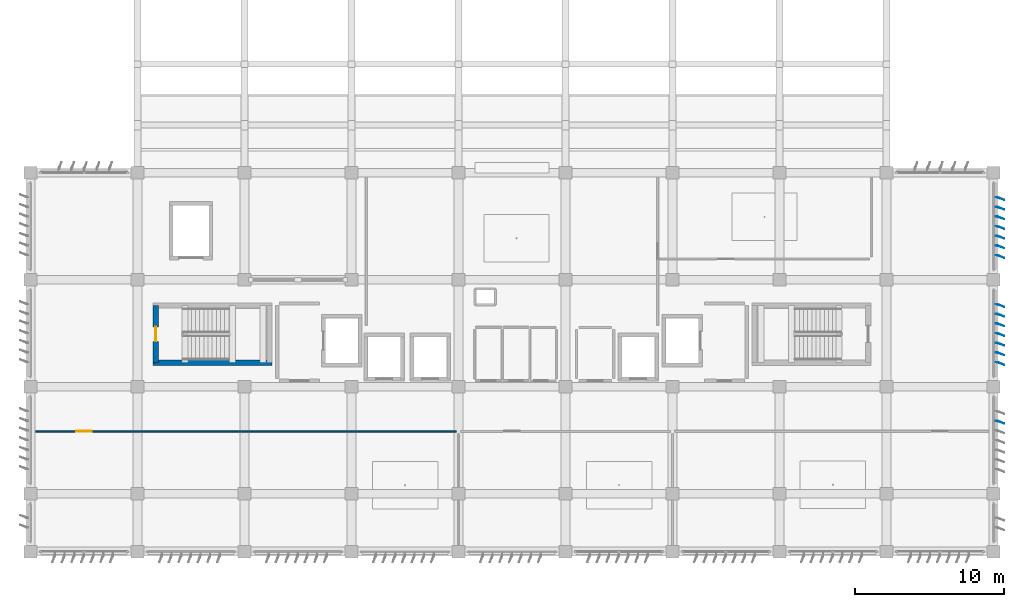
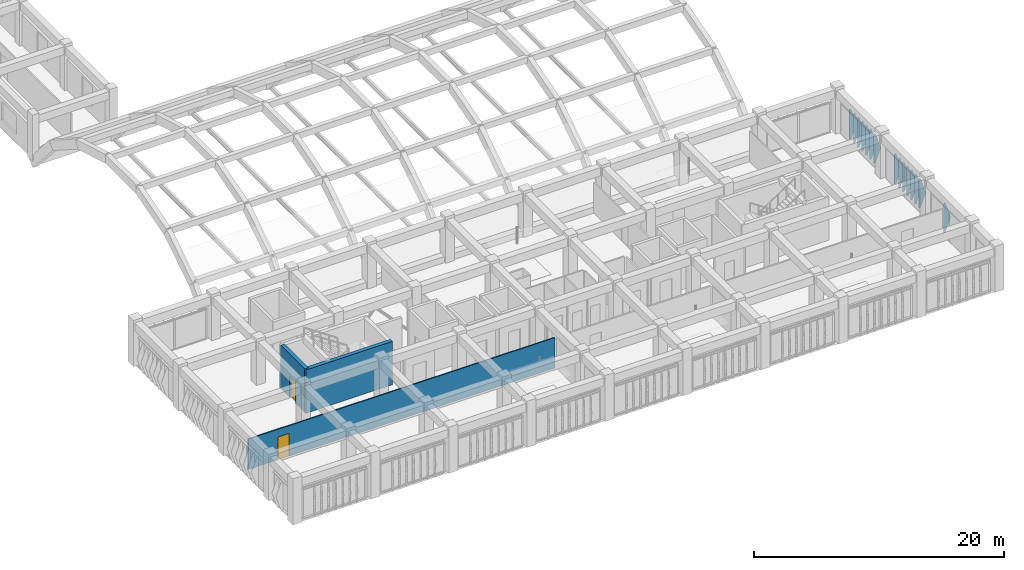
# One storey, part 27 of 48: 15 plates, 3 walls, 2 doors, 2 openings.
"""IFC4 building model written with IfcOpenShell, lengths in metres."""

import ifcopenshell
import ifcopenshell.guid

model = None  # the IFC model being written
_history = None  # IfcOwnerHistory: only IFC2X3 demands one
_inside = {}  # id of a spatial element -> (the spatial element, [elements in it])
_under = {}  # id of a project, library or spatial element -> (it, [spatial elements below it])
_declared = {}  # id of a project -> (the project, [libraries it declares])
_typed = {}  # id of a type object -> (the type object, [elements of that type])
_made_of = {}  # id of a material, layer set ... -> (it, [elements and type objects made of it])


def new_model(schema):
    """Start an empty IFC model of exactly this schema.

    Asked for "IFC4X3", IfcOpenShell would pick the latest addendum, in which some entities
    have other attributes; the version numbers below select the first issue.
    IFC2X3 requires an IfcOwnerHistory on every rooted entity: one is made here for all.
    """
    global model, _history
    if schema == "IFC4X3":
        model = ifcopenshell.file(schema_version=(4, 3, 0, 0))
    else:
        model = ifcopenshell.file(schema=schema)
    _inside.clear()
    _under.clear()
    _declared.clear()
    _typed.clear()
    _made_of.clear()
    _history = None
    if model.schema == "IFC2X3":
        org = make("IfcOrganization", Name="unknown")
        user = make(
            "IfcPersonAndOrganization",
            ThePerson=make("IfcPerson", FamilyName="unknown"),
            TheOrganization=org,
        )
        app = make(
            "IfcApplication",
            ApplicationDeveloper=org,
            Version="unknown",
            ApplicationFullName="unknown",
            ApplicationIdentifier="unknown",
        )
        _history = make(
            "IfcOwnerHistory",
            OwningUser=user,
            OwningApplication=app,
            ChangeAction="ADDED",
            CreationDate=0,
        )
    return model


def make(cls, **values):
    """One entity of the class cls with the attributes given. An attribute that is None is left unset."""
    return model.create_entity(
        cls, **{name: value for name, value in values.items() if value is not None}
    )


def rooted(cls, **values):
    """An entity with a GlobalId (a new one), such as an element, a storey or a relation."""
    return make(cls, GlobalId=ifcopenshell.guid.new(), OwnerHistory=_history, **values)


def si_unit(unit_type, name, prefix=None):
    """IfcSIUnit, for example si_unit("LENGTHUNIT", "METRE", prefix="MILLI")."""
    return make("IfcSIUnit", UnitType=unit_type, Prefix=prefix, Name=name)


def assignment(units):
    """IfcUnitAssignment: the units of a project."""
    return None if units is None else make("IfcUnitAssignment", Units=units)


def point(xyz):
    """IfcCartesianPoint."""
    return None if xyz is None else make("IfcCartesianPoint", Coordinates=xyz)


def direction(xyz):
    """IfcDirection."""
    return None if xyz is None else make("IfcDirection", DirectionRatios=xyz)


def frame(location, z_axis=None, x_axis=None):
    """IfcAxis2Placement3D, a coordinate frame: its origin and axes. An axis left out is left unset."""
    return make(
        "IfcAxis2Placement3D",
        Location=point(location),
        Axis=direction(z_axis),
        RefDirection=direction(x_axis),
    )


def frame_2d(location, x_axis=None):
    """IfcAxis2Placement2D, a coordinate frame in the plane: its origin and x axis."""
    return make(
        "IfcAxis2Placement2D", Location=point(location), RefDirection=direction(x_axis)
    )


def origin():
    """The frame at (0, 0, 0) with its axes left unset."""
    return frame((0.0, 0.0, 0.0))


def place(relative_to, where):
    """IfcLocalPlacement: puts the frame where relative to a parent placement (None: the world)."""
    return make(
        "IfcLocalPlacement", PlacementRelTo=relative_to, RelativePlacement=where
    )


def context(
    kind, dimensions, precision=None, world=None, true_north=None, identifier=None
):
    """IfcGeometricRepresentationContext, for example the 3D "Model" context."""
    return make(
        "IfcGeometricRepresentationContext",
        ContextIdentifier=identifier,
        ContextType=kind,
        CoordinateSpaceDimension=dimensions,
        Precision=precision,
        WorldCoordinateSystem=world,
        TrueNorth=true_north,
    )


def subcontext(parent, identifier, kind, view, scale=None):
    """IfcGeometricRepresentationSubContext, for example "Body" below "Model"."""
    return make(
        "IfcGeometricRepresentationSubContext",
        ContextIdentifier=identifier,
        ContextType=kind,
        ParentContext=parent,
        TargetScale=scale,
        TargetView=view,
    )


def project(units=None, contexts=None):
    """IfcProject with its units and contexts."""
    return rooted(
        "IfcProject",
        Name="project",
        RepresentationContexts=contexts,
        UnitsInContext=assignment(units),
    )


def spatial(cls, under=None, at=None, **own):
    """A site, building, storey or space (cls), placed at a placement, below another one or the project."""
    s = rooted(cls, ObjectPlacement=at, **own)
    if under is not None:
        _under.setdefault(under.id(), (under, []))[1].append(s)
    return s


def point_list(points):
    """IfcCartesianPointList2D or 3D."""
    cls = (
        "IfcCartesianPointList2D" if len(points[0]) == 2 else "IfcCartesianPointList3D"
    )
    return make(cls, CoordList=points)


def profile(cls, at=None, kind="AREA", **sizes):
    """A parametric profile (cls). Its sizes go by their IFC names, for example OverallWidth=200.0."""
    return make(cls, ProfileType=kind, Position=at, **sizes)


def rectangle(**sizes):
    """IfcRectangleProfileDef."""
    return profile("IfcRectangleProfileDef", **sizes)


def extrude(swept, where, along, depth):
    """IfcExtrudedAreaSolid: the profile swept, set in the frame where, extruded along a direction by depth."""
    return make(
        "IfcExtrudedAreaSolid",
        SweptArea=swept,
        Position=where,
        ExtrudedDirection=direction(along),
        Depth=depth,
    )


def polygons(points, faces, closed=None, point_numbers=None):
    """IfcPolygonalFaceSet: a face is its outer loop, then its inner loops; points numbered from 1."""
    made = []
    for loops in faces:
        if len(loops) == 1:
            made.append(make("IfcIndexedPolygonalFace", CoordIndex=loops[0]))
        else:
            made.append(
                make(
                    "IfcIndexedPolygonalFaceWithVoids",
                    CoordIndex=loops[0],
                    InnerCoordIndices=loops[1:],
                )
            )
    return make(
        "IfcPolygonalFaceSet",
        Coordinates=point_list(points),
        Closed=closed,
        Faces=made,
        PnIndex=point_numbers,
    )


def shape(context_of_items, identifier, shape_type, items):
    """IfcShapeRepresentation: the items that make up one representation, for example the "Body"."""
    return make(
        "IfcShapeRepresentation",
        ContextOfItems=context_of_items,
        RepresentationIdentifier=identifier,
        RepresentationType=shape_type,
        Items=items,
    )


def material(Name=None, Category=None):
    """IfcMaterial."""
    return make("IfcMaterial", Name=Name, Category=Category)


def layer(
    of_material, thickness, ventilated=None, Name=None, Category=None, Priority=None
):
    """IfcMaterialLayer: one layer of a wall or slab, of a material (None: an air gap)."""
    return make(
        "IfcMaterialLayer",
        Material=of_material,
        LayerThickness=thickness,
        IsVentilated=ventilated,
        Name=Name,
        Category=Category,
        Priority=Priority,
    )


def layer_set(layers, Name=None):
    """IfcMaterialLayerSet."""
    return make("IfcMaterialLayerSet", MaterialLayers=layers, LayerSetName=Name)


def made_of(thing, what):
    """Note that an element or type object is made of a material, layer set ...; save() writes the relation."""
    if what is not None:
        _made_of.setdefault(what.id(), (what, []))[1].append(thing)
    return thing


def type_object(cls, material=None, **own):
    """A type object (cls), such as IfcWallType, which elements share."""
    return made_of(rooted(cls, **own), material)


def element(
    cls,
    number,
    at=None,
    inside=None,
    cuts=None,
    type_object=None,
    material=None,
    context=None,
    identifier="Body",
    shape_type=None,
    held_by="IfcProductDefinitionShape",
    body=None,
    shapes=None,
    **own,
):
    """One element of the class cls, such as IfcWall. Its Tag is "e" and its number.

    at: its placement. inside: the storey or other place that contains it. cuts: it is an
    opening in that element (IfcRelVoidsElement). A single representation is given by context,
    identifier, shape_type and body (its items); several are given by shapes. held_by: the class
    of the entity that holds the representations. save() writes the other relations.
    """
    e = rooted(cls, Tag="e%d" % number, ObjectPlacement=at, **own)
    if body is not None:
        shapes = [shape(context, identifier, shape_type, body)]
    if shapes is not None:
        e.Representation = make(held_by, Representations=shapes)
    if inside is not None:
        _inside.setdefault(inside.id(), (inside, []))[1].append(e)
    if cuts is not None:
        rooted(
            "IfcRelVoidsElement", RelatingBuildingElement=cuts, RelatedOpeningElement=e
        )
    if type_object is not None:
        _typed.setdefault(type_object.id(), (type_object, []))[1].append(e)
    return made_of(e, material)


def fill(opening, filler):
    """IfcRelFillsElement: the door or window that sits in an opening."""
    return rooted(
        "IfcRelFillsElement",
        RelatingOpeningElement=opening,
        RelatedBuildingElement=filler,
    )


def aggregate(whole, parts):
    """IfcRelAggregates: a whole, such as a stair, and the parts it consists of."""
    return rooted("IfcRelAggregates", RelatingObject=whole, RelatedObjects=parts)


def save(model, path):
    """Write the relations noted so far, then the file.

    IfcRelAggregates (storeys below a building ...), IfcRelContainedInSpatialStructure (elements
    in a storey), IfcRelDefinesByType, IfcRelAssociatesMaterial and IfcRelDeclares: one each for
    every whole, place, type object, material and project.
    """
    for whole, parts in _under.values():
        aggregate(whole, parts)
    for where, things in _inside.values():
        rooted(
            "IfcRelContainedInSpatialStructure",
            RelatedElements=things,
            RelatingStructure=where,
        )
    for kind, things in _typed.values():
        rooted("IfcRelDefinesByType", RelatedObjects=things, RelatingType=kind)
    for what, things in _made_of.values():
        rooted("IfcRelAssociatesMaterial", RelatedObjects=things, RelatingMaterial=what)
    for by, libraries in _declared.values():
        rooted("IfcRelDeclares", RelatingContext=by, RelatedDefinitions=libraries)
    model.write(path)


model = new_model("IFC4")

# Units and contexts
model_context = context("Model", 3, precision=1e-05, world=origin(), true_north=direction((0.0, 1.0)))
body_context = subcontext(model_context, "Body", "Model", "MODEL_VIEW")
ifc_project = project(units=[si_unit("LENGTHUNIT", "METRE"), si_unit("AREAUNIT", "SQUARE_METRE"), si_unit("VOLUMEUNIT", "CUBIC_METRE"), si_unit("PLANEANGLEUNIT", "RADIAN"), si_unit("MASSUNIT", "GRAM", prefix="KILO")], contexts=[model_context])

# Site, building, storey
site_placement = place(None, origin())
site = spatial("IfcSite", under=ifc_project, at=site_placement, CompositionType="ELEMENT")
building_placement = place(site_placement, origin())
building = spatial("IfcBuilding", under=site, at=building_placement, Name="Kazehaya Institute of Natural Sciences", CompositionType="ELEMENT")
storey_placement = place(building_placement, frame((0.0, 0.0, 19.800048828125)))
storey = spatial("IfcBuildingStorey", under=building, at=storey_placement, Name="L04", CompositionType="ELEMENT", Elevation=19.800048828125)

# Plates
ifc_material_1 = material(Name="Bronze-anodised aluminium alloy A6063S-T5", Category="aluminium")
ifc_layer_1 = layer(ifc_material_1, 0.02001953125, Name="Bronze-anodised aluminium alloy A6063S-T5", Category="aluminium")
ifc_layer_set_1 = layer_set([ifc_layer_1], Name="Bronze-anodised aluminium alloy A6063S-T5")
plate_type = type_object("IfcPlateType", Name="FIN-DF-E1", PredefinedType="USERDEFINED", material=ifc_layer_set_1)
plate_1_placement = place(storey_placement, origin())
element("IfcPlate", 1, at=plate_1_placement, inside=storey, type_object=plate_type, Name="L04 folded diamond-pyramid shading fin FIN-L04-E-0198", ObjectType="SHADING_FIN", PredefinedType="USERDEFINED", context=body_context, shape_type="Tessellation", body=[
    polygons([(119.554931640625, 18.909912109375, 0.0400390625), (119.699951171875, 18.909912109375, 0.0400390625), (120.110107421875, 18.731201171875, 1.5), (119.699951171875, 18.909912109375, 2.9599609375), (119.554931640625, 18.909912109375, 2.9599609375), (119.554931640625, 18.889892578125, 0.0400390625), (119.699951171875, 18.889892578125, 0.0400390625), (120.110107421875, 18.711181640625, 1.5), (119.699951171875, 18.889892578125, 2.9599609375), (119.554931640625, 18.889892578125, 2.9599609375)], [[[1, 5, 4, 3, 2]], [[6, 7, 8, 9, 10]], [[1, 2, 7, 6]], [[2, 3, 8, 7]], [[3, 4, 9, 8]], [[4, 5, 10, 9]], [[5, 1, 6, 10]]], closed=True),
])
plate_2_placement = place(storey_placement, origin())
element("IfcPlate", 2, at=plate_2_placement, inside=storey, type_object=plate_type, Name="L04 folded diamond-pyramid shading fin FIN-L04-E-0211", ObjectType="SHADING_FIN", PredefinedType="USERDEFINED", context=body_context, shape_type="Tessellation", body=[
    polygons([(119.554931640625, 26.760009765625, 0.0400390625), (119.699951171875, 26.760009765625, 0.0400390625), (120.110107421875, 26.581298828125, 1.5), (119.699951171875, 26.760009765625, 2.9599609375), (119.554931640625, 26.760009765625, 2.9599609375), (119.554931640625, 26.739990234375, 0.0400390625), (119.699951171875, 26.739990234375, 0.0400390625), (120.110107421875, 26.561279296875, 1.5), (119.699951171875, 26.739990234375, 2.9599609375), (119.554931640625, 26.739990234375, 2.9599609375)], [[[1, 5, 4, 3, 2]], [[6, 7, 8, 9, 10]], [[1, 2, 7, 6]], [[2, 3, 8, 7]], [[3, 4, 9, 8]], [[4, 5, 10, 9]], [[5, 1, 6, 10]]], closed=True),
])
plate_3_placement = place(storey_placement, origin())
element("IfcPlate", 3, at=plate_3_placement, inside=storey, type_object=plate_type, Name="L04 folded diamond-pyramid shading fin FIN-L04-E-0212", ObjectType="SHADING_FIN", PredefinedType="USERDEFINED", context=body_context, shape_type="Tessellation", body=[
    polygons([(119.554931640625, 26.110107421875, 0.0400390625), (119.699951171875, 26.110107421875, 0.0400390625), (120.110107421875, 25.931396484375, 1.5), (119.699951171875, 26.110107421875, 2.9599609375), (119.554931640625, 26.110107421875, 2.9599609375), (119.554931640625, 26.090087890625, 0.0400390625), (119.699951171875, 26.090087890625, 0.0400390625), (120.110107421875, 25.911376953125, 1.5), (119.699951171875, 26.090087890625, 2.9599609375), (119.554931640625, 26.090087890625, 2.9599609375)], [[[1, 5, 4, 3, 2]], [[6, 7, 8, 9, 10]], [[1, 2, 7, 6]], [[2, 3, 8, 7]], [[3, 4, 9, 8]], [[4, 5, 10, 9]], [[5, 1, 6, 10]]], closed=True),
])
plate_4_placement = place(storey_placement, origin())
element("IfcPlate", 4, at=plate_4_placement, inside=storey, type_object=plate_type, Name="L04 folded diamond-pyramid shading fin FIN-L04-E-0213", ObjectType="SHADING_FIN", PredefinedType="USERDEFINED", context=body_context, shape_type="Tessellation", body=[
    polygons([(119.554931640625, 25.4599609375, 0.0400390625), (119.699951171875, 25.4599609375, 0.0400390625), (120.110107421875, 25.28125, 1.5), (119.699951171875, 25.4599609375, 2.9599609375), (119.554931640625, 25.4599609375, 2.9599609375), (119.554931640625, 25.43994140625, 0.0400390625), (119.699951171875, 25.43994140625, 0.0400390625), (120.110107421875, 25.26123046875, 1.5), (119.699951171875, 25.43994140625, 2.9599609375), (119.554931640625, 25.43994140625, 2.9599609375)], [[[1, 5, 4, 3, 2]], [[6, 7, 8, 9, 10]], [[1, 2, 7, 6]], [[2, 3, 8, 7]], [[3, 4, 9, 8]], [[4, 5, 10, 9]], [[5, 1, 6, 10]]], closed=True),
])
plate_5_placement = place(storey_placement, origin())
element("IfcPlate", 5, at=plate_5_placement, inside=storey, type_object=plate_type, Name="L04 folded diamond-pyramid shading fin FIN-L04-E-0214", ObjectType="SHADING_FIN", PredefinedType="USERDEFINED", context=body_context, shape_type="Tessellation", body=[
    polygons([(119.554931640625, 24.81005859375, 0.0400390625), (119.699951171875, 24.81005859375, 0.0400390625), (120.110107421875, 24.63134765625, 1.5), (119.699951171875, 24.81005859375, 2.9599609375), (119.554931640625, 24.81005859375, 2.9599609375), (119.554931640625, 24.7900390625, 0.0400390625), (119.699951171875, 24.7900390625, 0.0400390625), (120.110107421875, 24.611328125, 1.5), (119.699951171875, 24.7900390625, 2.9599609375), (119.554931640625, 24.7900390625, 2.9599609375)], [[[1, 5, 4, 3, 2]], [[6, 7, 8, 9, 10]], [[1, 2, 7, 6]], [[2, 3, 8, 7]], [[3, 4, 9, 8]], [[4, 5, 10, 9]], [[5, 1, 6, 10]]], closed=True),
])
plate_6_placement = place(storey_placement, origin())
element("IfcPlate", 6, at=plate_6_placement, inside=storey, type_object=plate_type, Name="L04 folded diamond-pyramid shading fin FIN-L04-E-0215", ObjectType="SHADING_FIN", PredefinedType="USERDEFINED", context=body_context, shape_type="Tessellation", body=[
    polygons([(119.554931640625, 24.159912109375, 0.0400390625), (119.699951171875, 24.159912109375, 0.0400390625), (120.110107421875, 23.981201171875, 1.5), (119.699951171875, 24.159912109375, 2.9599609375), (119.554931640625, 24.159912109375, 2.9599609375), (119.554931640625, 24.139892578125, 0.0400390625), (119.699951171875, 24.139892578125, 0.0400390625), (120.110107421875, 23.961181640625, 1.5), (119.699951171875, 24.139892578125, 2.9599609375), (119.554931640625, 24.139892578125, 2.9599609375)], [[[1, 5, 4, 3, 2]], [[6, 7, 8, 9, 10]], [[1, 2, 7, 6]], [[2, 3, 8, 7]], [[3, 4, 9, 8]], [[4, 5, 10, 9]], [[5, 1, 6, 10]]], closed=True),
])
plate_7_placement = place(storey_placement, origin())
element("IfcPlate", 7, at=plate_7_placement, inside=storey, type_object=plate_type, Name="L04 folded diamond-pyramid shading fin FIN-L04-E-0216", ObjectType="SHADING_FIN", PredefinedType="USERDEFINED", context=body_context, shape_type="Tessellation", body=[
    polygons([(119.554931640625, 23.510009765625, 0.0400390625), (119.699951171875, 23.510009765625, 0.0400390625), (120.110107421875, 23.331298828125, 1.5), (119.699951171875, 23.510009765625, 2.9599609375), (119.554931640625, 23.510009765625, 2.9599609375), (119.554931640625, 23.489990234375, 0.0400390625), (119.699951171875, 23.489990234375, 0.0400390625), (120.110107421875, 23.311279296875, 1.5), (119.699951171875, 23.489990234375, 2.9599609375), (119.554931640625, 23.489990234375, 2.9599609375)], [[[1, 5, 4, 3, 2]], [[6, 7, 8, 9, 10]], [[1, 2, 7, 6]], [[2, 3, 8, 7]], [[3, 4, 9, 8]], [[4, 5, 10, 9]], [[5, 1, 6, 10]]], closed=True),
])
plate_8_placement = place(storey_placement, origin())
element("IfcPlate", 8, at=plate_8_placement, inside=storey, type_object=plate_type, Name="L04 folded diamond-pyramid shading fin FIN-L04-E-0217", ObjectType="SHADING_FIN", PredefinedType="USERDEFINED", context=body_context, shape_type="Tessellation", body=[
    polygons([(119.554931640625, 22.860107421875, 0.0400390625), (119.699951171875, 22.860107421875, 0.0400390625), (120.110107421875, 22.681396484375, 1.5), (119.699951171875, 22.860107421875, 2.9599609375), (119.554931640625, 22.860107421875, 2.9599609375), (119.554931640625, 22.840087890625, 0.0400390625), (119.699951171875, 22.840087890625, 0.0400390625), (120.110107421875, 22.661376953125, 1.5), (119.699951171875, 22.840087890625, 2.9599609375), (119.554931640625, 22.840087890625, 2.9599609375)], [[[1, 5, 4, 3, 2]], [[6, 7, 8, 9, 10]], [[1, 2, 7, 6]], [[2, 3, 8, 7]], [[3, 4, 9, 8]], [[4, 5, 10, 9]], [[5, 1, 6, 10]]], closed=True),
])
plate_9_placement = place(storey_placement, origin())
element("IfcPlate", 9, at=plate_9_placement, inside=storey, type_object=plate_type, Name="L04 folded diamond-pyramid shading fin FIN-L04-E-0225", ObjectType="SHADING_FIN", PredefinedType="USERDEFINED", context=body_context, shape_type="Tessellation", body=[
    polygons([(119.554931640625, 33.9599609375, 0.0400390625), (119.699951171875, 33.9599609375, 0.0400390625), (120.110107421875, 33.78125, 1.5), (119.699951171875, 33.9599609375, 2.9599609375), (119.554931640625, 33.9599609375, 2.9599609375), (119.554931640625, 33.93994140625, 0.0400390625), (119.699951171875, 33.93994140625, 0.0400390625), (120.110107421875, 33.76123046875, 1.5), (119.699951171875, 33.93994140625, 2.9599609375), (119.554931640625, 33.93994140625, 2.9599609375)], [[[1, 5, 4, 3, 2]], [[6, 7, 8, 9, 10]], [[1, 2, 7, 6]], [[2, 3, 8, 7]], [[3, 4, 9, 8]], [[4, 5, 10, 9]], [[5, 1, 6, 10]]], closed=True),
])
plate_10_placement = place(storey_placement, origin())
element("IfcPlate", 10, at=plate_10_placement, inside=storey, type_object=plate_type, Name="L04 folded diamond-pyramid shading fin FIN-L04-E-0226", ObjectType="SHADING_FIN", PredefinedType="USERDEFINED", context=body_context, shape_type="Tessellation", body=[
    polygons([(119.554931640625, 33.31005859375, 0.0400390625), (119.699951171875, 33.31005859375, 0.0400390625), (120.110107421875, 33.13134765625, 1.5), (119.699951171875, 33.31005859375, 2.9599609375), (119.554931640625, 33.31005859375, 2.9599609375), (119.554931640625, 33.2900390625, 0.0400390625), (119.699951171875, 33.2900390625, 0.0400390625), (120.110107421875, 33.111328125, 1.5), (119.699951171875, 33.2900390625, 2.9599609375), (119.554931640625, 33.2900390625, 2.9599609375)], [[[1, 5, 4, 3, 2]], [[6, 7, 8, 9, 10]], [[1, 2, 7, 6]], [[2, 3, 8, 7]], [[3, 4, 9, 8]], [[4, 5, 10, 9]], [[5, 1, 6, 10]]], closed=True),
])
plate_11_placement = place(storey_placement, origin())
element("IfcPlate", 11, at=plate_11_placement, inside=storey, type_object=plate_type, Name="L04 folded diamond-pyramid shading fin FIN-L04-E-0227", ObjectType="SHADING_FIN", PredefinedType="USERDEFINED", context=body_context, shape_type="Tessellation", body=[
    polygons([(119.554931640625, 32.659912109375, 0.0400390625), (119.699951171875, 32.659912109375, 0.0400390625), (120.110107421875, 32.481201171875, 1.5), (119.699951171875, 32.659912109375, 2.9599609375), (119.554931640625, 32.659912109375, 2.9599609375), (119.554931640625, 32.639892578125, 0.0400390625), (119.699951171875, 32.639892578125, 0.0400390625), (120.110107421875, 32.461181640625, 1.5), (119.699951171875, 32.639892578125, 2.9599609375), (119.554931640625, 32.639892578125, 2.9599609375)], [[[1, 5, 4, 3, 2]], [[6, 7, 8, 9, 10]], [[1, 2, 7, 6]], [[2, 3, 8, 7]], [[3, 4, 9, 8]], [[4, 5, 10, 9]], [[5, 1, 6, 10]]], closed=True),
])
plate_12_placement = place(storey_placement, origin())
element("IfcPlate", 12, at=plate_12_placement, inside=storey, type_object=plate_type, Name="L04 folded diamond-pyramid shading fin FIN-L04-E-0228", ObjectType="SHADING_FIN", PredefinedType="USERDEFINED", context=body_context, shape_type="Tessellation", body=[
    polygons([(119.554931640625, 32.010009765625, 0.0400390625), (119.699951171875, 32.010009765625, 0.0400390625), (120.110107421875, 31.831298828125, 1.5), (119.699951171875, 32.010009765625, 2.9599609375), (119.554931640625, 32.010009765625, 2.9599609375), (119.554931640625, 31.989990234375, 0.0400390625), (119.699951171875, 31.989990234375, 0.0400390625), (120.110107421875, 31.811279296875, 1.5), (119.699951171875, 31.989990234375, 2.9599609375), (119.554931640625, 31.989990234375, 2.9599609375)], [[[1, 5, 4, 3, 2]], [[6, 7, 8, 9, 10]], [[1, 2, 7, 6]], [[2, 3, 8, 7]], [[3, 4, 9, 8]], [[4, 5, 10, 9]], [[5, 1, 6, 10]]], closed=True),
])
plate_13_placement = place(storey_placement, origin())
element("IfcPlate", 13, at=plate_13_placement, inside=storey, type_object=plate_type, Name="L04 folded diamond-pyramid shading fin FIN-L04-E-0229", ObjectType="SHADING_FIN", PredefinedType="USERDEFINED", context=body_context, shape_type="Tessellation", body=[
    polygons([(119.554931640625, 31.360107421875, 0.0400390625), (119.699951171875, 31.360107421875, 0.0400390625), (120.110107421875, 31.181396484375, 1.5), (119.699951171875, 31.360107421875, 2.9599609375), (119.554931640625, 31.360107421875, 2.9599609375), (119.554931640625, 31.340087890625, 0.0400390625), (119.699951171875, 31.340087890625, 0.0400390625), (120.110107421875, 31.161376953125, 1.5), (119.699951171875, 31.340087890625, 2.9599609375), (119.554931640625, 31.340087890625, 2.9599609375)], [[[1, 5, 4, 3, 2]], [[6, 7, 8, 9, 10]], [[1, 2, 7, 6]], [[2, 3, 8, 7]], [[3, 4, 9, 8]], [[4, 5, 10, 9]], [[5, 1, 6, 10]]], closed=True),
])
plate_14_placement = place(storey_placement, origin())
element("IfcPlate", 14, at=plate_14_placement, inside=storey, type_object=plate_type, Name="L04 folded diamond-pyramid shading fin FIN-L04-E-0230", ObjectType="SHADING_FIN", PredefinedType="USERDEFINED", context=body_context, shape_type="Tessellation", body=[
    polygons([(119.554931640625, 30.7099609375, 0.0400390625), (119.699951171875, 30.7099609375, 0.0400390625), (120.110107421875, 30.53125, 1.5), (119.699951171875, 30.7099609375, 2.9599609375), (119.554931640625, 30.7099609375, 2.9599609375), (119.554931640625, 30.68994140625, 0.0400390625), (119.699951171875, 30.68994140625, 0.0400390625), (120.110107421875, 30.51123046875, 1.5), (119.699951171875, 30.68994140625, 2.9599609375), (119.554931640625, 30.68994140625, 2.9599609375)], [[[1, 5, 4, 3, 2]], [[6, 7, 8, 9, 10]], [[1, 2, 7, 6]], [[2, 3, 8, 7]], [[3, 4, 9, 8]], [[4, 5, 10, 9]], [[5, 1, 6, 10]]], closed=True),
])
plate_15_placement = place(storey_placement, origin())
element("IfcPlate", 15, at=plate_15_placement, inside=storey, type_object=plate_type, Name="L04 folded diamond-pyramid shading fin FIN-L04-E-0231", ObjectType="SHADING_FIN", PredefinedType="USERDEFINED", context=body_context, shape_type="Tessellation", body=[
    polygons([(119.554931640625, 30.06005859375, 0.0400390625), (119.699951171875, 30.06005859375, 0.0400390625), (120.110107421875, 29.88134765625, 1.5), (119.699951171875, 30.06005859375, 2.9599609375), (119.554931640625, 30.06005859375, 2.9599609375), (119.554931640625, 30.0400390625, 0.0400390625), (119.699951171875, 30.0400390625, 0.0400390625), (120.110107421875, 29.861328125, 1.5), (119.699951171875, 30.0400390625, 2.9599609375), (119.554931640625, 30.0400390625, 2.9599609375)], [[[1, 5, 4, 3, 2]], [[6, 7, 8, 9, 10]], [[1, 2, 7, 6]], [[2, 3, 8, 7]], [[3, 4, 9, 8]], [[4, 5, 10, 9]], [[5, 1, 6, 10]]], closed=True),
])

# Wall
ifc_material_2 = material(Name="Concrete Fc42", Category="concrete")
ifc_layer_2 = layer(ifc_material_2, 0.35009765625, Name="Concrete Fc42", Category="concrete")
ifc_layer_set_2 = layer_set([ifc_layer_2], Name="Concrete Fc42")
wall_type_1 = type_object("IfcWallType", Name="WL-CORE-350", PredefinedType="SHEAR", material=ifc_layer_set_2)
wall_1_placement = place(storey_placement, frame((70.85498046875, 22.820068359375, 0.0), z_axis=(0.0, 0.0, 1.0), x_axis=(-1.0, 0.0, 0.0)))
element("IfcWall", 16, at=wall_1_placement, inside=storey, type_object=wall_type_1, Name="L04 ST-1 core wall S", PredefinedType="SHEAR", context=body_context, shape_type="SweptSolid", body=[
    extrude(rectangle(XDim=8.010009765625, YDim=0.35009765625, at=frame_2d((4.0048828125, 0.0))), origin(), (0.0, 0.0, 1.0), 4.22998046875),
])

# Wall, opening, door
wall_2_placement = place(storey_placement, frame((63.02001953125, 22.820068359375, 0.0), z_axis=(0.0, 0.0, 1.0), x_axis=(0.0, 1.0, 0.0)))
wall_2 = element("IfcWall", 17, at=wall_2_placement, inside=storey, type_object=wall_type_1, Name="L04 ST-1 core wall W", PredefinedType="SHEAR", context=body_context, shape_type="SweptSolid", body=[
    extrude(rectangle(XDim=3.83984375, YDim=0.35009765625, at=frame_2d((1.919921875, 0.0))), origin(), (0.0, 0.0, 1.0), 4.22998046875),
])
opening_1_placement = place(wall_2_placement, frame((1.429931640625, 0.0, 0.0)))
opening_1 = element("IfcOpeningElement", 18, at=opening_1_placement, cuts=wall_2, Name="Opening D-ST-006", PredefinedType="OPENING", context=body_context, shape_type="SweptSolid", body=[
    extrude(rectangle(XDim=0.97998046875, YDim=2.06005859375, at=frame_2d((0.489990234375, 1.030029296875))), frame((0.0, 0.18505859375, 0.0), z_axis=(0.0, -1.0, 0.0), x_axis=(1.0, 0.0, 0.0)), (0.0, 0.0, 1.0), 0.3701171875),
])
ifc_material_3 = material(Name="Fire-rated steel acoustic door", Category="steel")
door_type_1 = type_object("IfcDoorType", Name="DT-FD-07", OperationType="NOTDEFINED", PredefinedType="DOOR", material=ifc_material_3)
door_1_placement = place(opening_1_placement, origin())
door_1 = element("IfcDoor", 19, at=door_1_placement, inside=storey, type_object=door_type_1, Name="L04 ST-1 stair enclosure door D-ST-006", OperationType="SINGLE_SWING_RIGHT", OverallHeight=2.06005859375, OverallWidth=0.97998046875, PredefinedType="DOOR", context=body_context, shape_type="SweptSolid", body=[
    extrude(rectangle(XDim=0.97998046875, YDim=2.06005859375, at=frame_2d((0.489990234375, 1.030029296875))), frame((0.0, 0.02490234375, 0.0), z_axis=(0.0, -1.0, 0.0), x_axis=(1.0, 0.0, 0.0)), (0.0, 0.0, 1.0), 0.050048828125),
])
fill(opening_1, door_1)

ifc_material_4 = material(Name="Lightweight chase partition")
ifc_layer_3 = layer(ifc_material_4, 0.10009765625, Name="Lightweight chase partition")
ifc_layer_set_3 = layer_set([ifc_layer_3], Name="Lightweight chase partition")
wall_type_2 = type_object("IfcWallType", Name="WL-PART-100", PredefinedType="PARTITIONING", material=ifc_layer_set_3)
wall_3_placement = place(storey_placement, frame((54.949951171875, 18.199951171875, 0.0), z_axis=(0.0, 0.0, 1.0), x_axis=(1.0, 0.0, 0.0)))
wall_3 = element("IfcWall", 20, at=wall_3_placement, inside=storey, type_object=wall_type_2, Name="L04 Wet Chemistry Laboratory partition IW-L04-0237", PredefinedType="PARTITIONING", context=body_context, shape_type="SweptSolid", body=[
    extrude(rectangle(XDim=28.300048828125, YDim=0.10009765625, at=frame_2d((14.14990234375, 0.0))), origin(), (0.0, 0.0, 1.0), 2.97998046875),
])
opening_2_placement = place(wall_3_placement, frame((2.735107421875, 0.0, 0.0)))
opening_2 = element("IfcOpeningElement", 21, at=opening_2_placement, cuts=wall_3, Name="Opening D-L04-0144", PredefinedType="OPENING", context=body_context, shape_type="SweptSolid", body=[
    extrude(rectangle(XDim=1.030029296875, YDim=2.219970703125, at=frame_2d((0.51513671875, 1.10986328125))), frame((0.0, 0.06005859375, 0.0), z_axis=(0.0, -1.0, 0.0), x_axis=(1.0, 0.0, 0.0)), (0.0, 0.0, 1.0), 0.1201171875),
])
ifc_material_5 = material(Name="Flush timber and aluminium laboratory door", Category="wood")
door_type_2 = type_object("IfcDoorType", Name="DT-INT-20", OperationType="NOTDEFINED", PredefinedType="DOOR", material=ifc_material_5)
door_2_placement = place(opening_2_placement, origin())
door_2 = element("IfcDoor", 22, at=door_2_placement, inside=storey, type_object=door_type_2, Name="L04 Wet Chemistry Laboratory door D-L04-0144", OperationType="SINGLE_SWING_RIGHT", OverallHeight=2.219970703125, OverallWidth=1.030029296875, PredefinedType="DOOR", context=body_context, shape_type="SweptSolid", body=[
    extrude(rectangle(XDim=1.030029296875, YDim=2.219970703125, at=frame_2d((0.51513671875, 1.10986328125))), frame((0.0, 0.02490234375, 0.0), z_axis=(0.0, -1.0, 0.0), x_axis=(1.0, 0.0, 0.0)), (0.0, 0.0, 1.0), 0.050048828125),
])
fill(opening_2, door_2)

save(model, "model.ifc")
